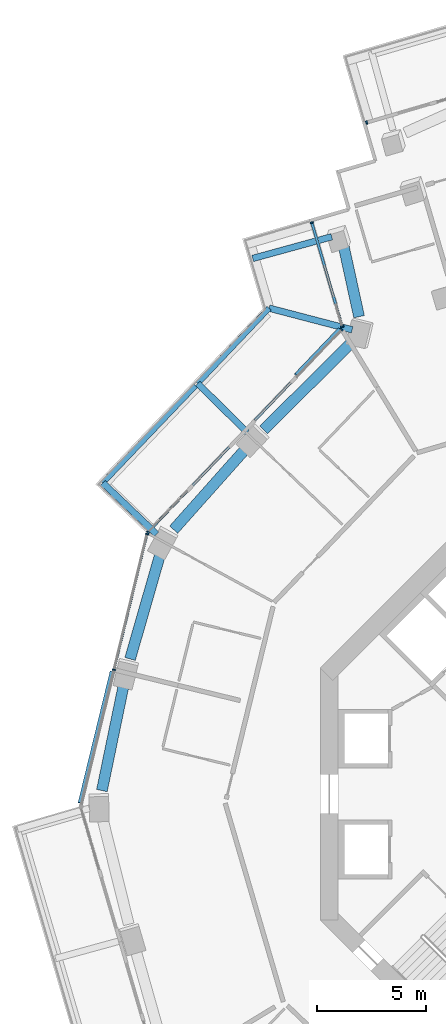
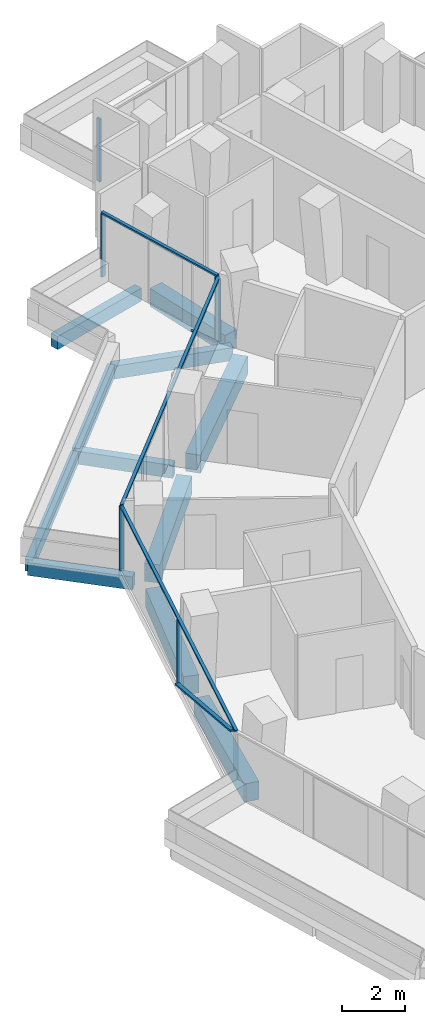
# One storey, part 7 of 25: 12 members, 11 beams, 4 elements without a shape of their own.
"""IFC4 building model written with IfcOpenShell, lengths in metres."""

from ifc_helpers import new_model, si_unit, direction, frame, origin, origin_2d, place, context, subcontext, project, spatial, rectangle, extrude, material, layer, layer_set, material_profile, profile_set, type_object, element, aggregate, save


model = new_model("IFC4")

# Units and contexts
model_context = context("Model", 3, precision=1e-05, world=origin(), true_north=direction((0.0, 1.0)))
body_context = subcontext(model_context, "Body", "Model", "MODEL_VIEW")
ifc_project = project(units=[si_unit("LENGTHUNIT", "METRE"), si_unit("AREAUNIT", "SQUARE_METRE"), si_unit("VOLUMEUNIT", "CUBIC_METRE"), si_unit("PLANEANGLEUNIT", "RADIAN"), si_unit("MASSUNIT", "GRAM", prefix="KILO")], contexts=[model_context])

# Site, building, storey
site_placement = place(None, origin())
site = spatial("IfcSite", under=ifc_project, at=site_placement, CompositionType="ELEMENT")
building_placement = place(site_placement, origin())
building = spatial("IfcBuilding", under=site, at=building_placement, Name="Verdalira Terraces Hotel", CompositionType="ELEMENT")
storey_placement = place(building_placement, frame((0.0, 0.0, 100.0)))
storey = spatial("IfcBuildingStorey", under=building, at=storey_placement, Name="L23", CompositionType="ELEMENT", Elevation=100.0)

# Beams
ifc_material_1 = material(Name="Concrete C40", Category="concrete")
ifc_material_profile_1 = material_profile(ifc_material_1, rectangle(XDim=0.300049, YDim=0.5, at=origin_2d()), Name="RC 300X500")
ifc_profile_set_1 = profile_set([ifc_material_profile_1], Name="Concrete C40")
beam_type_1 = type_object("IfcBeamType", Name="Balcony cantilever beam RC 300X500 C40", PredefinedType="BEAM", material=ifc_profile_set_1)
beam_1_placement = place(storey_placement, frame((-12.538574, 21.361816, -0.560059), z_axis=(-0.967517425, 0.252804336, 0.0), x_axis=(-0.252804336, -0.967517425, 0.0)))
element("IfcBeam", 1, at=beam_1_placement, inside=storey, type_object=beam_type_1, Name="Balcony cantilever beam R10-1", PredefinedType="BEAM", context=body_context, shape_type="SweptSolid", body=[
    extrude(rectangle(XDim=0.300049, YDim=0.5, at=origin_2d()), origin(), (0.0, 0.0, 1.0), 3.949951),
])
beam_2_placement = place(storey_placement, frame((-17.369385, 16.645996, -0.560059), z_axis=(-0.711554698, 0.702630708, 0.0), x_axis=(-0.702630708, -0.711554698, 0.0)))
element("IfcBeam", 2, at=beam_2_placement, inside=storey, type_object=beam_type_1, Name="Balcony cantilever beam R10-2", PredefinedType="BEAM", context=body_context, shape_type="SweptSolid", body=[
    extrude(rectangle(XDim=0.300049, YDim=0.5, at=origin_2d()), origin(), (0.0, 0.0, 1.0), 3.200928),
])
beam_3_placement = place(storey_placement, frame((-21.54248, 11.962158, -0.560059), z_axis=(-0.723207932, 0.690630355, 0.0), x_axis=(-0.690630355, -0.723207932, 0.0)))
element("IfcBeam", 3, at=beam_3_placement, inside=storey, type_object=beam_type_1, Name="Balcony cantilever beam R10-3", PredefinedType="BEAM", context=body_context, shape_type="SweptSolid", body=[
    extrude(rectangle(XDim=0.300049, YDim=0.5, at=origin_2d()), origin(), (0.0, 0.0, 1.0), 3.417236),
])
beam_4_placement = place(storey_placement, frame((-13.476807, 25.646973, -0.560059), z_axis=(-0.964281444, -0.264879779, 0.0), x_axis=(0.264879779, -0.964281444, 0.0)))
element("IfcBeam", 4, at=beam_4_placement, inside=storey, type_object=beam_type_1, Name="Balcony cantilever beam R10-4", PredefinedType="BEAM", context=body_context, shape_type="SweptSolid", body=[
    extrude(rectangle(XDim=0.300049, YDim=0.5, at=origin_2d()), origin(), (0.0, 0.0, 1.0), 3.773438),
])
ifc_material_2 = material(Name="Concrete C40", Category="concrete")
ifc_material_profile_2 = material_profile(ifc_material_2, rectangle(XDim=0.25, YDim=0.449951, at=origin_2d()), Name="RC 250X450")
ifc_profile_set_2 = profile_set([ifc_material_profile_2], Name="Concrete C40")
beam_type_2 = type_object("IfcBeamType", Name="Balcony edge beam RC 250X450 C40", PredefinedType="BEAM", material=ifc_profile_set_2)
beam_5_placement = place(storey_placement, frame((-16.360107, 22.360352, -0.534912), z_axis=(-0.688176961, -0.72554288, 0.0), x_axis=(0.72554288, -0.688176961, 0.0)))
element("IfcBeam", 5, at=beam_5_placement, inside=storey, type_object=beam_type_2, Name="Balcony edge beam R10-1", PredefinedType="BEAM", context=body_context, shape_type="SweptSolid", body=[
    extrude(rectangle(XDim=0.25, YDim=0.449951, at=origin_2d()), origin(), (0.0, 0.0, 1.0), 4.776123),
])
beam_6_placement = place(storey_placement, frame((-19.750488, 18.786621, -0.534912), z_axis=(-0.69064504, -0.723193908, 0.0), x_axis=(0.723193908, -0.69064504, 0.0)))
element("IfcBeam", 6, at=beam_6_placement, inside=storey, type_object=beam_type_2, Name="Balcony edge beam R10-2", PredefinedType="BEAM", context=body_context, shape_type="SweptSolid", body=[
    extrude(rectangle(XDim=0.25, YDim=0.449951, at=origin_2d()), origin(), (0.0, 0.0, 1.0), 6.173096),
])

# Curtain wall, members
ifc_material_3 = material(Name="Clear glass", Category="glass")
ifc_layer_1 = layer(ifc_material_3, 0.14990234375)
ifc_layer_set_1 = layer_set([ifc_layer_1], Name="CW1 curtain wall")
curtain_wall_type_1 = type_object("IfcCurtainWallType", Name="CW1 curtain wall", PredefinedType="NOTDEFINED", material=ifc_layer_set_1)
curtain_wall_1_placement = place(storey_placement, origin())
curtain_wall_1 = element("IfcCurtainWall", 7, at=curtain_wall_1_placement, inside=storey, type_object=curtain_wall_type_1, Name="CW1 curtain wall L23 edge 11", PredefinedType="NOTDEFINED")
ifc_material_4 = material(Name="Terracotta frame", Category="masonry")
ifc_material_profile_3 = material_profile(ifc_material_4, rectangle(XDim=0.060059, YDim=0.149902, at=origin_2d()), Name="MU 60x150")
ifc_profile_set_3 = profile_set([ifc_material_profile_3], Name="Terracotta frame")
member_type_1 = type_object("IfcMemberType", Name="CW1 mullion 60x150", PredefinedType="MULLION", material=ifc_profile_set_3)
member_1_placement = place(storey_placement, frame((-13.02124, 21.380859, 0.0), z_axis=(0.0, 0.0, 1.0), x_axis=(-0.690630006, -0.723208265, 0.0)))
member_1 = element("IfcMember", 8, at=member_1_placement, type_object=member_type_1, Name="CW1 mullion", PredefinedType="MULLION", context=body_context, shape_type="SweptSolid", body=[
    extrude(rectangle(XDim=0.060059, YDim=0.149902, at=origin_2d()), origin(), (0.0, 0.0, 1.0), 2.425049),
])
member_2_placement = place(storey_placement, frame((-21.930176, 12.051758, 0.0), z_axis=(0.0, 0.0, 1.0), x_axis=(-0.690630006, -0.723208265, 0.0)))
member_2 = element("IfcMember", 9, at=member_2_placement, type_object=member_type_1, Name="CW1 mullion", PredefinedType="MULLION", context=body_context, shape_type="SweptSolid", body=[
    extrude(rectangle(XDim=0.060059, YDim=0.149902, at=origin_2d()), origin(), (0.0, 0.0, 1.0), 2.425049),
])

curtain_wall_2_placement = place(storey_placement, origin())
curtain_wall_2 = element("IfcCurtainWall", 10, at=curtain_wall_2_placement, inside=storey, type_object=curtain_wall_type_1, Name="CW1 curtain wall L23 edge 12", PredefinedType="NOTDEFINED")
member_3_placement = place(storey_placement, frame((-21.976562, 11.966797, 0.0), z_axis=(0.0, 0.0, 1.0), x_axis=(-0.236498997, -0.971631733, 0.0)))
member_3 = element("IfcMember", 11, at=member_3_placement, type_object=member_type_1, Name="CW1 mullion", PredefinedType="MULLION", context=body_context, shape_type="SweptSolid", body=[
    extrude(rectangle(XDim=0.060059, YDim=0.149902, at=origin_2d()), origin(), (0.0, 0.0, 1.0), 2.425049),
])
member_4_placement = place(storey_placement, frame((-23.497314, 5.719238, 0.0), z_axis=(0.0, 0.0, 1.0), x_axis=(-0.236498997, -0.971631733, 0.0)))
member_4 = element("IfcMember", 12, at=member_4_placement, type_object=member_type_1, Name="CW1 mullion", PredefinedType="MULLION", context=body_context, shape_type="SweptSolid", body=[
    extrude(rectangle(XDim=0.060059, YDim=0.149902, at=origin_2d()), origin(), (0.0, 0.0, 1.0), 2.425049),
])

# Member
ifc_material_5 = material(Name="Terracotta frame", Category="masonry")
ifc_material_profile_4 = material_profile(ifc_material_5, rectangle(XDim=0.110107, YDim=0.064941, at=origin_2d()), Name="TR 65x110")
ifc_profile_set_4 = profile_set([ifc_material_profile_4], Name="Terracotta frame")
member_type_2 = type_object("IfcMemberType", Name="CW1 transom 65x110", PredefinedType="USERDEFINED", material=ifc_profile_set_4)
member_5_placement = place(storey_placement, frame((-13.000488, 21.402588, 2.45752), z_axis=(-0.690633443, -0.723204983, 0.0), x_axis=(0.723204983, -0.690633443, 0.0)))
member_5 = element("IfcMember", 13, at=member_5_placement, type_object=member_type_2, Name="CW1 transom", ObjectType="TRANSOM", PredefinedType="USERDEFINED", context=body_context, shape_type="SweptSolid", body=[
    extrude(rectangle(XDim=0.110107, YDim=0.064941, at=origin_2d()), origin(), (0.0, 0.0, 1.0), 12.959717),
])

member_6_placement = place(storey_placement, frame((-21.969482, 11.99585, 2.45752), z_axis=(-0.236515041, -0.971627827, 0.0), x_axis=(0.971627827, -0.236515041, 0.0)))
member_6 = element("IfcMember", 14, at=member_6_placement, type_object=member_type_2, Name="CW1 transom", ObjectType="TRANSOM", PredefinedType="USERDEFINED", context=body_context, shape_type="SweptSolid", body=[
    extrude(rectangle(XDim=0.110107, YDim=0.064941, at=origin_2d()), origin(), (0.0, 0.0, 1.0), 12.919434),
])

# Curtain wall, members
ifc_material_6 = material(Name="Clear glass", Category="glass")
ifc_layer_2 = layer(ifc_material_6, 0.14990234375)
ifc_layer_set_2 = layer_set([ifc_layer_2], Name="CW2 curtain wall")
curtain_wall_type_2 = type_object("IfcCurtainWallType", Name="CW2 curtain wall", PredefinedType="NOTDEFINED", material=ifc_layer_set_2)
curtain_wall_3_placement = place(storey_placement, origin())
curtain_wall_3 = element("IfcCurtainWall", 15, at=curtain_wall_3_placement, inside=storey, type_object=curtain_wall_type_2, Name="CW2 curtain wall L23 edge 10", PredefinedType="NOTDEFINED")
ifc_material_7 = material(Name="Terracotta frame", Category="masonry")
ifc_material_profile_5 = material_profile(ifc_material_7, rectangle(XDim=0.070068, YDim=0.149902, at=origin_2d()), Name="MU 70x150")
ifc_profile_set_5 = profile_set([ifc_material_profile_5], Name="Terracotta frame")
member_type_3 = type_object("IfcMemberType", Name="CW2 mullion 70x150", PredefinedType="MULLION", material=ifc_profile_set_5)
member_7_placement = place(storey_placement, frame((-14.394287, 26.296143, 0.0), z_axis=(0.0, 0.0, 1.0), x_axis=(0.281001727, -0.959707262, 0.0)))
member_7 = element("IfcMember", 16, at=member_7_placement, type_object=member_type_3, Name="CW2 mullion", PredefinedType="MULLION", context=body_context, shape_type="SweptSolid", body=[
    extrude(rectangle(XDim=0.070068, YDim=0.149902, at=origin_2d()), origin(), (0.0, 0.0, 1.0), 2.425049),
])
member_8_placement = place(storey_placement, frame((-12.992676, 21.509033, 0.0), z_axis=(0.0, 0.0, 1.0), x_axis=(0.281001727, -0.959707262, 0.0)))
member_8 = element("IfcMember", 17, at=member_8_placement, type_object=member_type_3, Name="CW2 mullion", PredefinedType="MULLION", context=body_context, shape_type="SweptSolid", body=[
    extrude(rectangle(XDim=0.070068, YDim=0.149902, at=origin_2d()), origin(), (0.0, 0.0, 1.0), 2.425049),
])
ifc_material_8 = material(Name="Terracotta frame", Category="masonry")
ifc_material_profile_6 = material_profile(ifc_material_8, rectangle(XDim=0.11499, YDim=0.064941, at=origin_2d()), Name="TR 65x115")
ifc_profile_set_6 = profile_set([ifc_material_profile_6], Name="Terracotta frame")
member_type_4 = type_object("IfcMemberType", Name="CW2 transom 65x115", PredefinedType="USERDEFINED", material=ifc_profile_set_6)
member_9_placement = place(storey_placement, frame((-14.404053, 26.329834, 2.45752), z_axis=(0.281000677, -0.95970757, 0.0), x_axis=(0.95970757, 0.281000677, 0.0)))
member_9 = element("IfcMember", 18, at=member_9_placement, type_object=member_type_4, Name="CW2 transom", ObjectType="TRANSOM", PredefinedType="USERDEFINED", context=body_context, shape_type="SweptSolid", body=[
    extrude(rectangle(XDim=0.11499, YDim=0.064941, at=origin_2d()), origin(), (0.0, 0.0, 1.0), 5.05835),
])
aggregate(curtain_wall_3, [member_7, member_8, member_9])

# Curtain wall, member
ifc_material_9 = material(Name="Clear glass", Category="glass")
ifc_layer_3 = layer(ifc_material_9, 0.14990234375)
ifc_layer_set_3 = layer_set([ifc_layer_3], Name="CW3 curtain wall")
curtain_wall_type_3 = type_object("IfcCurtainWallType", Name="CW3 curtain wall", PredefinedType="NOTDEFINED", material=ifc_layer_set_3)
curtain_wall_4_placement = place(storey_placement, origin())
curtain_wall_4 = element("IfcCurtainWall", 19, at=curtain_wall_4_placement, inside=storey, type_object=curtain_wall_type_3, Name="CW3 curtain wall L23 edge 5", PredefinedType="NOTDEFINED")
ifc_material_10 = material(Name="Terracotta frame", Category="masonry")
ifc_material_profile_7 = material_profile(ifc_material_10, rectangle(XDim=0.080078, YDim=0.149902, at=origin_2d()), Name="MU 80x150")
ifc_profile_set_7 = profile_set([ifc_material_profile_7], Name="Terracotta frame")
member_type_5 = type_object("IfcMemberType", Name="CW3 mullion 80x150", PredefinedType="MULLION", material=ifc_profile_set_7)
member_10_placement = place(storey_placement, frame((-11.871582, 30.900635, 0.0), z_axis=(0.0, 0.0, 1.0), x_axis=(-0.959707262, -0.281001727, 0.0)))
member_10 = element("IfcMember", 20, at=member_10_placement, type_object=member_type_5, Name="CW3 mullion", PredefinedType="MULLION", context=body_context, shape_type="SweptSolid", body=[
    extrude(rectangle(XDim=0.080078, YDim=0.149902, at=origin_2d()), origin(), (0.0, 0.0, 1.0), 2.425049),
])
aggregate(curtain_wall_4, [member_10])

# Member
ifc_material_11 = material(Name="Terracotta frame", Category="masonry")
ifc_material_profile_8 = material_profile(ifc_material_11, rectangle(XDim=0.149902, YDim=0.060059, at=origin_2d()), Name="GB 60x150")
ifc_profile_set_8 = profile_set([ifc_material_profile_8], Name="Terracotta frame")
member_type_6 = type_object("IfcMemberType", Name="Diagonal glazing bar 60x150", PredefinedType="USERDEFINED", material=ifc_profile_set_8)
member_11_placement = place(storey_placement, frame((-13.126953, 21.398926, 0.024414), z_axis=(-0.534614047, -0.559789958, 0.633105854), x_axis=(0.723181895, -0.690657619, 0.0)))
member_11 = element("IfcMember", 21, at=member_11_placement, type_object=member_type_6, Name="Diagonal glazing bar", ObjectType="GLAZING BAR", PredefinedType="USERDEFINED", context=body_context, shape_type="SweptSolid", body=[
    extrude(rectangle(XDim=0.149902, YDim=0.060059, at=origin_2d()), origin(), (0.0, 0.0, 1.0), 3.75293),
])

aggregate(curtain_wall_1, [member_1, member_2, member_5, member_11])

member_12_placement = place(storey_placement, frame((-23.608643, 5.637939, 0.028809), z_axis=(-0.221016546, -0.908061006, 0.355776468), x_axis=(0.971633967, -0.236489819, 0.0)))
member_12 = element("IfcMember", 22, at=member_12_placement, type_object=member_type_6, Name="Diagonal glazing bar", ObjectType="GLAZING BAR", PredefinedType="USERDEFINED", context=body_context, shape_type="SweptSolid", body=[
    extrude(rectangle(XDim=0.149902, YDim=0.060059, at=origin_2d()), origin(), (0.0, 0.0, 1.0), 6.654297),
])

aggregate(curtain_wall_2, [member_3, member_4, member_6, member_12])

# Beams
ifc_material_12 = material(Name="Concrete C70", Category="concrete")
ifc_material_profile_9 = material_profile(ifc_material_12, rectangle(XDim=0.5, YDim=0.699951, at=origin_2d()), Name="RC 500X700")
ifc_profile_set_9 = profile_set([ifc_material_profile_9], Name="Concrete C70")
beam_type_3 = type_object("IfcBeamType", Name="Spandrel beam RC 500X700 C70", PredefinedType="SPANDREL", material=ifc_profile_set_9)
beam_7_placement = place(storey_placement, frame((-12.973145, 25.417725, -0.659912), z_axis=(0.213253483, -0.976996905, 0.0), x_axis=(0.976996905, 0.213253483, 0.0)))
element("IfcBeam", 23, at=beam_7_placement, inside=storey, type_object=beam_type_3, Name="Spandrel beam B03", PredefinedType="SPANDREL", context=body_context, shape_type="SweptSolid", body=[
    extrude(rectangle(XDim=0.5, YDim=0.699951, at=origin_2d()), origin(), (0.0, 0.0, 1.0), 3.530762),
])
beam_8_placement = place(storey_placement, frame((-12.581543, 20.758545, -0.659912), z_axis=(-0.710285127, -0.703914085, 0.0), x_axis=(0.703914085, -0.710285127, 0.0)))
element("IfcBeam", 24, at=beam_8_placement, inside=storey, type_object=beam_type_3, Name="Spandrel beam B04", PredefinedType="SPANDREL", context=body_context, shape_type="SweptSolid", body=[
    extrude(rectangle(XDim=0.5, YDim=0.699951, at=origin_2d()), origin(), (0.0, 0.0, 1.0), 5.671387),
])
beam_9_placement = place(storey_placement, frame((-17.418945, 15.911621, -0.659912), z_axis=(-0.664826277, -0.746998006, 0.0), x_axis=(0.746998006, -0.664826277, 0.0)))
element("IfcBeam", 25, at=beam_9_placement, inside=storey, type_object=beam_type_3, Name="Spandrel beam B05", PredefinedType="SPANDREL", context=body_context, shape_type="SweptSolid", body=[
    extrude(rectangle(XDim=0.5, YDim=0.699951, at=origin_2d()), origin(), (0.0, 0.0, 1.0), 5.012207),
])
beam_10_placement = place(storey_placement, frame((-21.371094, 11.038574, -0.659912), z_axis=(-0.276585048, -0.960989444, 0.0), x_axis=(0.960989444, -0.276585048, 0.0)))
element("IfcBeam", 26, at=beam_10_placement, inside=storey, type_object=beam_type_3, Name="Spandrel beam B06", PredefinedType="SPANDREL", context=body_context, shape_type="SweptSolid", body=[
    extrude(rectangle(XDim=0.5, YDim=0.699951, at=origin_2d()), origin(), (0.0, 0.0, 1.0), 5.015381),
])
beam_11_placement = place(storey_placement, frame((-23.04126, 5.070312, -0.659912), z_axis=(-0.202191642, -0.979345976, 0.0), x_axis=(0.979345976, -0.202191642, 0.0)))
element("IfcBeam", 27, at=beam_11_placement, inside=storey, type_object=beam_type_3, Name="Spandrel beam B07", PredefinedType="SPANDREL", context=body_context, shape_type="SweptSolid", body=[
    extrude(rectangle(XDim=0.5, YDim=0.699951, at=origin_2d()), origin(), (0.0, 0.0, 1.0), 5.012207),
])

save(model, "model.ifc")
